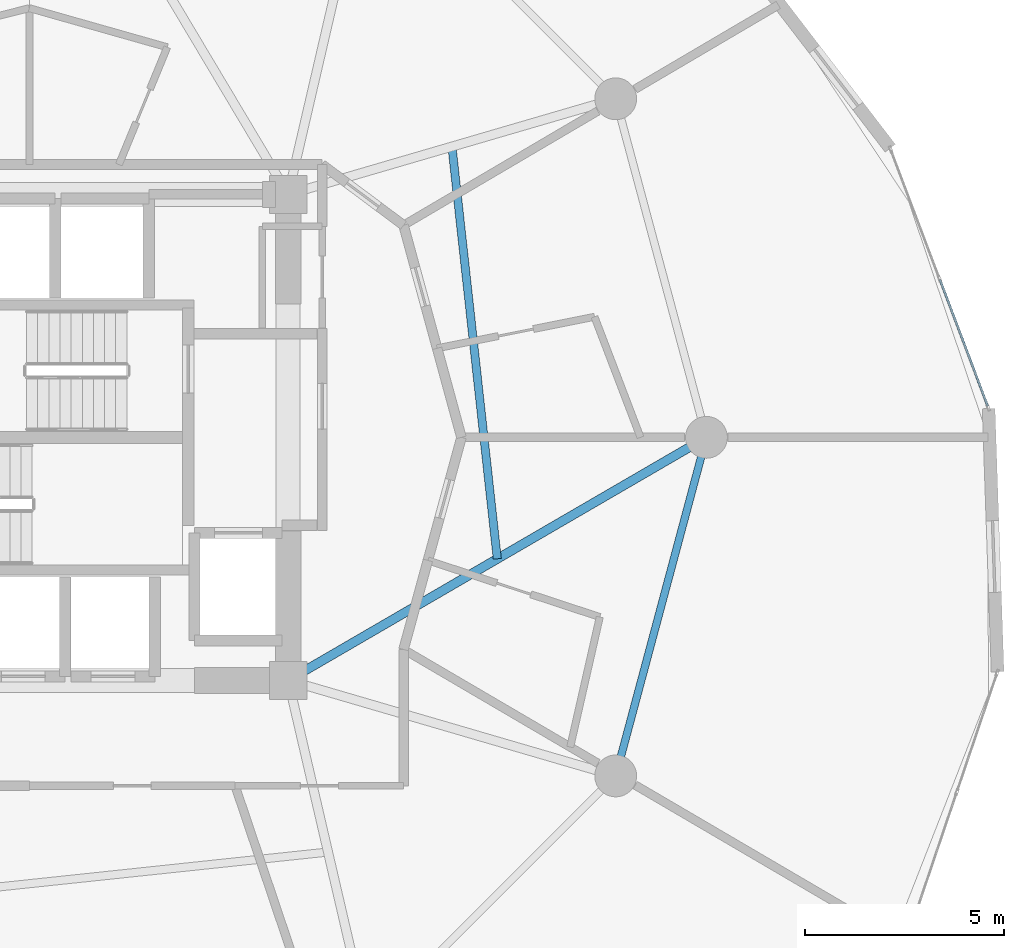
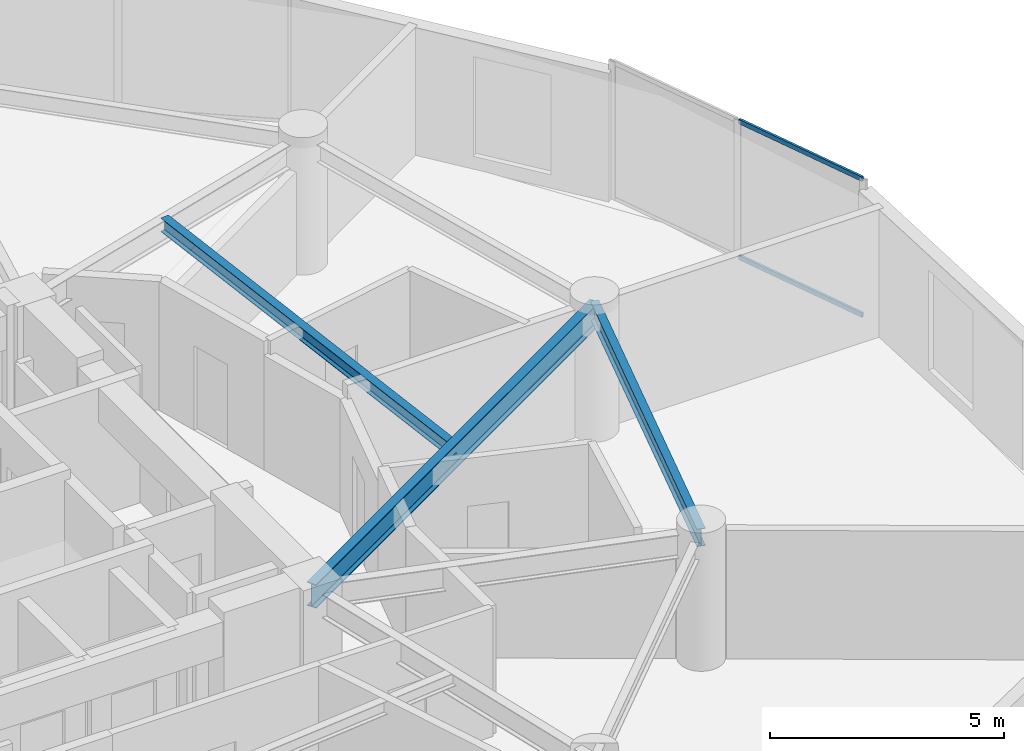
# One storey, part 12 of 25: 3 beams, 2 members, 1 element without a shape of its own.
"""IFC4 building model written with IfcOpenShell, lengths in metres."""

from ifc_helpers import new_model, si_unit, direction, frame, origin, origin_2d, place, context, subcontext, project, spatial, hollow_rectangle, i_section, extrude, source, transform, mapped, material, layer, layer_set, material_profile, profile_set, type_object, element, aggregate, save


model = new_model("IFC4")

# Units and contexts
model_context = context("Model", 3, precision=1e-05, world=origin(), true_north=direction((0.0, 1.0)))
body_context = subcontext(model_context, "Body", "Model", "MODEL_VIEW")
ifc_project = project(units=[si_unit("LENGTHUNIT", "METRE"), si_unit("AREAUNIT", "SQUARE_METRE"), si_unit("VOLUMEUNIT", "CUBIC_METRE"), si_unit("PLANEANGLEUNIT", "RADIAN"), si_unit("MASSUNIT", "GRAM", prefix="KILO")], contexts=[model_context])

# Site, building, storey
site_placement = place(None, origin())
site = spatial("IfcSite", under=ifc_project, at=site_placement, CompositionType="ELEMENT")
building_placement = place(site_placement, origin())
building = spatial("IfcBuilding", under=site, at=building_placement, Name="Solvirekh Grand Hotel", CompositionType="ELEMENT")
storey_placement = place(building_placement, frame((0.0, 0.0, 106.199951171875)))
storey = spatial("IfcBuildingStorey", under=building, at=storey_placement, Name="L26", CompositionType="ELEMENT", Elevation=106.199951171875)

# Beams
ifc_material_1 = material(Name="Steel S355", Category="steel")
ifc_material_profile_1 = material_profile(ifc_material_1, i_section(OverallWidth=0.22802734375, OverallDepth=0.616943359375, WebThickness=0.012939453125, FlangeThickness=0.02001953125, FilletRadius=0.014892578125, at=origin_2d()), Name="W610X140")
ifc_profile_set_1 = profile_set([ifc_material_profile_1], Name="Steel S355")
beam_type_1 = type_object("IfcBeamType", Name="Beam_Radial_W610", PredefinedType="BEAM", material=ifc_profile_set_1)
beam_1_placement = place(storey_placement, frame((6.5, -6.10009765625, 3.0419921875), z_axis=(0.864670076815, 0.50234018181, 0.0), x_axis=(-0.50234018181, 0.864670076815, 0.0)))
element("IfcBeam", 1, at=beam_1_placement, inside=storey, type_object=beam_type_1, Name="L26 radial floor beam R01", PredefinedType="BEAM", context=body_context, shape_type="SweptSolid", body=[
    extrude(i_section(OverallWidth=0.22802734375, OverallDepth=0.616943359375, WebThickness=0.012939453125, FlangeThickness=0.02001953125, FilletRadius=0.014892578125, at=origin_2d()), origin(), (0.0, 0.0, 1.0), 12.143310546875),
])
ifc_material_profile_2 = material_profile(ifc_material_1, i_section(OverallWidth=0.2041015625, OverallDepth=0.35009765625, WebThickness=0.009033203125, FlangeThickness=0.014892578125, FilletRadius=0.010986328125, at=origin_2d()), Name="W360X72")
ifc_profile_set_2 = profile_set([ifc_material_profile_2], Name="Steel S355")
beam_type_2 = type_object("IfcBeamType", Name="Joist_Floor_W360", PredefinedType="JOIST", material=ifc_profile_set_2)
beam_2_placement = place(storey_placement, frame((11.75, -3.050048828125, 3.175048828125), z_axis=(-0.109378935301, 0.994000125006, 0.0), x_axis=(-0.994000125006, -0.109378935301, 0.0)))
element("IfcBeam", 2, at=beam_2_placement, inside=storey, type_object=beam_type_2, Name="L26 secondary composite floor joist 1", PredefinedType="JOIST", context=body_context, shape_type="SweptSolid", body=[
    extrude(i_section(OverallWidth=0.2041015625, OverallDepth=0.35009765625, WebThickness=0.009033203125, FlangeThickness=0.014892578125, FilletRadius=0.010986328125, at=origin_2d()), origin(), (0.0, 0.0, 1.0), 10.41259765625),
])
ifc_material_profile_3 = material_profile(ifc_material_1, i_section(OverallWidth=0.18994140625, OverallDepth=0.45703125, WebThickness=0.009033203125, FlangeThickness=0.013916015625, FilletRadius=0.012939453125, at=origin_2d()), Name="W460X74")
ifc_profile_set_3 = profile_set([ifc_material_profile_3], Name="Steel S355")
beam_type_3 = type_object("IfcBeamType", Name="Spandrel_Ring_W460", PredefinedType="SPANDREL", material=ifc_profile_set_3)
beam_3_placement = place(storey_placement, frame((14.721923828125, -8.5, 3.1220703125), z_axis=(0.258872908946, 0.965911391906, 0.0), x_axis=(-0.965911391906, 0.258872908946, 0.0)))
element("IfcBeam", 3, at=beam_3_placement, inside=storey, type_object=beam_type_3, Name="L26 perimeter spandrel beam 12", PredefinedType="SPANDREL", context=body_context, shape_type="SweptSolid", body=[
    extrude(i_section(OverallWidth=0.18994140625, OverallDepth=0.45703125, WebThickness=0.009033203125, FlangeThickness=0.013916015625, FilletRadius=0.012939453125, at=origin_2d()), origin(), (0.0, 0.0, 1.0), 8.800048828125),
])

# Curtain wall, members
ifc_material_2 = material(Name="Anodized Bronze Aluminium 6063-T6", Category="aluminium")
ifc_layer = layer(ifc_material_2, 0.175048828125)
ifc_layer_set = layer_set([ifc_layer], Name="Anodized Bronze Aluminium 6063-T6")
curtain_wall_type = type_object("IfcCurtainWallType", Name="CW_Sys3_MidZoneFlushBronzeCW", PredefinedType="NOTDEFINED", material=ifc_layer_set)
curtain_wall_placement = place(storey_placement, origin())
curtain_wall = element("IfcCurtainWall", 4, at=curtain_wall_placement, inside=storey, type_object=curtain_wall_type, Name="L26 unitised bronze-glass curtain wall CW-L26-C03", PredefinedType="NOTDEFINED")
ifc_material_profile_4 = material_profile(ifc_material_2, hollow_rectangle(XDim=0.054931640625, YDim=0.1201171875, WallThickness=0.00390625, at=origin_2d()), Name="ALU RHS 120X55X4")
ifc_profile_set_4 = profile_set([ifc_material_profile_4], Name="Anodized Bronze Aluminium 6063-T6")
member_type = type_object("IfcMemberType", Name="CWTransom_Sys3", PredefinedType="USERDEFINED", material=ifc_profile_set_4)
shared_shape = source(origin(), body_context, "Body", "SweptSolid", [
    extrude(hollow_rectangle(XDim=0.054931640625, YDim=0.1201171875, WallThickness=0.00390625, at=origin_2d()), origin(), (0.0, 0.0, 1.0), 3.397216796875),
])
member_1_placement = place(storey_placement, frame((24.06298828125, 0.78369140625, 0.027587890625), z_axis=(-0.353492802233, 0.935437244699, 0.0), x_axis=(-0.935437244699, -0.353492802233, 0.0)))
member_1 = element("IfcMember", 5, at=member_1_placement, type_object=member_type, Name="U03 transom 1.1", ObjectType="TRANSOM", PredefinedType="USERDEFINED", context=body_context, shape_type="MappedRepresentation", body=[
    mapped(shared_shape, transform((0.0, 0.0, 0.0), x_axis=(1.0, 0.0, 0.0), y_axis=(0.0, 1.0, 0.0), z_axis=(0.0, 0.0, 1.0), scale=1.0)),
])
member_2_placement = place(storey_placement, frame((24.06298828125, 0.78369140625, 3.572509765625), z_axis=(-0.353492802233, 0.935437244699, 0.0), x_axis=(-0.935437244699, -0.353492802233, 0.0)))
member_2 = element("IfcMember", 6, at=member_2_placement, type_object=member_type, Name="U03 transom 1.2", ObjectType="TRANSOM", PredefinedType="USERDEFINED", context=body_context, shape_type="MappedRepresentation", body=[
    mapped(shared_shape, transform((0.0, 0.0, 0.0), x_axis=(1.0, 0.0, 0.0), y_axis=(0.0, 1.0, 0.0), z_axis=(0.0, 0.0, 1.0), scale=1.0)),
])
aggregate(curtain_wall, [member_1, member_2])

save(model, "model.ifc")
